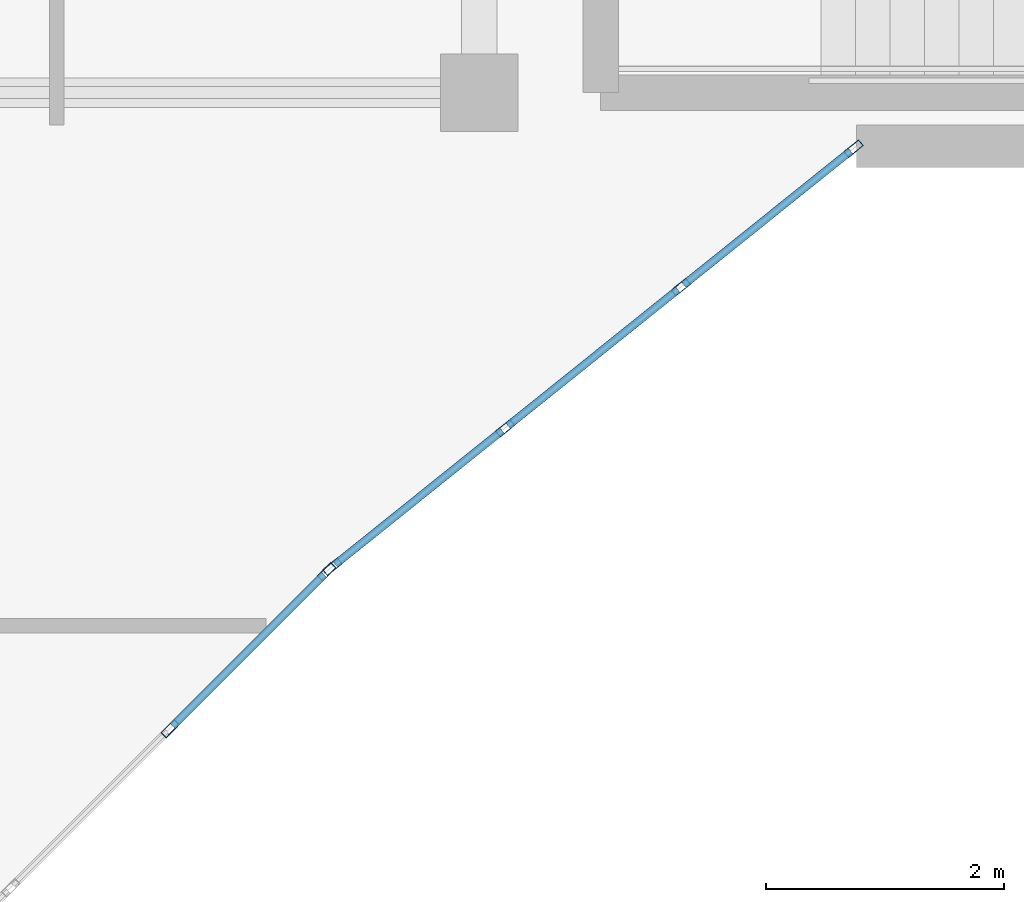
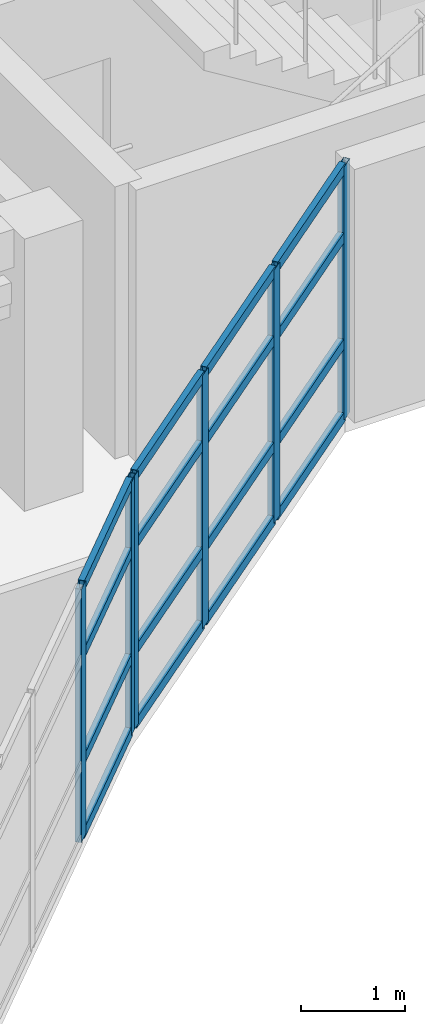
# One storey, part 16 of 89: 22 members, 2 elements without a shape of their own.
"""IFC4 building model written with IfcOpenShell, lengths in metres."""

from ifc_helpers import new_model, si_unit, direction, frame, origin, origin_2d, place, context, subcontext, project, spatial, hollow_rectangle, extrude, material, layer, layer_set, material_profile, profile_set, type_object, element, aggregate, save


model = new_model("IFC4")

# Units and contexts
model_context = context("Model", 3, precision=1e-05, world=origin(), true_north=direction((0.0, 1.0)))
body_context = subcontext(model_context, "Body", "Model", "MODEL_VIEW")
ifc_project = project(units=[si_unit("LENGTHUNIT", "METRE"), si_unit("AREAUNIT", "SQUARE_METRE"), si_unit("VOLUMEUNIT", "CUBIC_METRE"), si_unit("PLANEANGLEUNIT", "RADIAN"), si_unit("MASSUNIT", "GRAM", prefix="KILO")], contexts=[model_context])

# Site, building, storey
site_placement = place(None, origin())
site = spatial("IfcSite", under=ifc_project, at=site_placement, CompositionType="ELEMENT")
building_placement = place(site_placement, origin())
building = spatial("IfcBuilding", under=site, at=building_placement, Name="Keldmere Railside Commons", CompositionType="ELEMENT")
storey_placement = place(building_placement, frame((0.0, 0.0, 7.360107421875)))
storey = spatial("IfcBuildingStorey", under=building, at=storey_placement, Name="L02", CompositionType="ELEMENT", Elevation=7.360107421875)

# Curtain wall, members
ifc_material = material(Name="Thermally Broken Aluminium", Category="aluminium")
ifc_layer_1 = layer(ifc_material, 0.159912109375, Name="Court Chord Wintergarden CW 5400x2850")
ifc_layer_set_1 = layer_set([ifc_layer_1], Name="Thermally Broken Aluminium")
curtain_wall_type_1 = type_object("IfcCurtainWallType", Name="Court Chord Wintergarden CW 5400x2850", PredefinedType="NOTDEFINED", material=ifc_layer_set_1)
curtain_wall_1_placement = place(storey_placement, origin())
curtain_wall_1 = element("IfcCurtainWall", 1, at=curtain_wall_1_placement, inside=storey, type_object=curtain_wall_type_1, Name="CW-13 CW-L02-038", PredefinedType="NOTDEFINED")
ifc_material_profile_1 = material_profile(ifc_material, hollow_rectangle(XDim=0.06494140625, YDim=0.159912109375, WallThickness=0.00390625, at=origin_2d()), Name="ALU-MULL-65x160")
ifc_profile_set_1 = profile_set([ifc_material_profile_1], Name="Thermally Broken Aluminium")
member_type_1 = type_object("IfcMemberType", Name="Unitised Curtain Wall Mullion 65x160", PredefinedType="MULLION", material=ifc_profile_set_1)
member_1_placement = place(storey_placement, frame((71.547119140625, 96.423095703125, 0.0), z_axis=(0.0, 0.0, 1.0), x_axis=(0.707106781187, -0.707106781187, 0.0)))
member_1 = element("IfcMember", 2, at=member_1_placement, type_object=member_type_1, Name="CW-13 mullion 1", PredefinedType="MULLION", context=body_context, shape_type="SweptSolid", body=[
    extrude(hollow_rectangle(XDim=0.06494140625, YDim=0.159912109375, WallThickness=0.00390625, at=origin_2d()), origin(), (0.0, 0.0, 1.0), 2.97998046875),
])
member_2_placement = place(storey_placement, frame((70.2314453125, 95.107421875, 0.0), z_axis=(0.0, 0.0, 1.0), x_axis=(0.707106781187, -0.707106781187, 0.0)))
member_2 = element("IfcMember", 3, at=member_2_placement, type_object=member_type_1, Name="CW-13 mullion 2", PredefinedType="MULLION", context=body_context, shape_type="SweptSolid", body=[
    extrude(hollow_rectangle(XDim=0.06494140625, YDim=0.159912109375, WallThickness=0.00390625, at=origin_2d()), origin(), (0.0, 0.0, 1.0), 2.97998046875),
])

ifc_layer_2 = layer(ifc_material, 0.159912109375, Name="Court Chord Wintergarden CW 4800x2850")
ifc_layer_set_2 = layer_set([ifc_layer_2], Name="Thermally Broken Aluminium")
curtain_wall_type_2 = type_object("IfcCurtainWallType", Name="Court Chord Wintergarden CW 4800x2850", PredefinedType="NOTDEFINED", material=ifc_layer_set_2)
curtain_wall_2_placement = place(storey_placement, origin())
curtain_wall_2 = element("IfcCurtainWall", 4, at=curtain_wall_2_placement, inside=storey, type_object=curtain_wall_type_2, Name="CW-12 CW-L02-039", PredefinedType="NOTDEFINED")
member_3_placement = place(storey_placement, frame((75.974609375, 99.979736328125, 0.0), z_axis=(0.0, 0.0, 1.0), x_axis=(0.625768080915, -0.780009172323, 0.0)))
member_3 = element("IfcMember", 5, at=member_3_placement, type_object=member_type_1, Name="CW-12 mullion 1", PredefinedType="MULLION", context=body_context, shape_type="SweptSolid", body=[
    extrude(hollow_rectangle(XDim=0.06494140625, YDim=0.159912109375, WallThickness=0.00390625, at=origin_2d()), origin(), (0.0, 0.0, 1.0), 2.97998046875),
])
member_4_placement = place(storey_placement, frame((74.5234375, 98.8154296875, 0.0), z_axis=(0.0, 0.0, 1.0), x_axis=(0.625768080915, -0.780009172323, 0.0)))
member_4 = element("IfcMember", 6, at=member_4_placement, type_object=member_type_1, Name="CW-12 mullion 2", PredefinedType="MULLION", context=body_context, shape_type="SweptSolid", body=[
    extrude(hollow_rectangle(XDim=0.06494140625, YDim=0.159912109375, WallThickness=0.00390625, at=origin_2d()), origin(), (0.0, 0.0, 1.0), 2.97998046875),
])
member_5_placement = place(storey_placement, frame((73.046630859375, 97.630615234375, 0.0), z_axis=(0.0, 0.0, 1.0), x_axis=(0.625768080915, -0.780009172323, 0.0)))
member_5 = element("IfcMember", 7, at=member_5_placement, type_object=member_type_1, Name="CW-12 mullion 3", PredefinedType="MULLION", context=body_context, shape_type="SweptSolid", body=[
    extrude(hollow_rectangle(XDim=0.06494140625, YDim=0.159912109375, WallThickness=0.00390625, at=origin_2d()), origin(), (0.0, 0.0, 1.0), 2.97998046875),
])
member_6_placement = place(storey_placement, frame((71.595458984375, 96.46630859375, 0.0), z_axis=(0.0, 0.0, 1.0), x_axis=(0.625768080915, -0.780009172323, 0.0)))
member_6 = element("IfcMember", 8, at=member_6_placement, type_object=member_type_1, Name="CW-12 mullion 4", PredefinedType="MULLION", context=body_context, shape_type="SweptSolid", body=[
    extrude(hollow_rectangle(XDim=0.06494140625, YDim=0.159912109375, WallThickness=0.00390625, at=origin_2d()), origin(), (0.0, 0.0, 1.0), 2.97998046875),
])

# Member
ifc_material_profile_2 = material_profile(ifc_material, hollow_rectangle(XDim=0.06494140625, YDim=0.1201171875, WallThickness=0.00390625, at=origin_2d()), Name="ALU-TRAN-65x120")
ifc_profile_set_2 = profile_set([ifc_material_profile_2], Name="Thermally Broken Aluminium")
member_type_2 = type_object("IfcMemberType", Name="Unitised Curtain Wall Transom 65x120", PredefinedType="USERDEFINED", material=ifc_profile_set_2)
member_7_placement = place(storey_placement, frame((71.52392578125, 96.400146484375, 0.032470703125), z_axis=(-0.707038793419, -0.707174762418, 0.0), x_axis=(0.707174762418, -0.707038793419, 0.0)))
member_7 = element("IfcMember", 9, at=member_7_placement, type_object=member_type_2, Name="CW-13 transom 1.1", ObjectType="TRANSOM", PredefinedType="USERDEFINED", context=body_context, shape_type="SweptSolid", body=[
    extrude(hollow_rectangle(XDim=0.06494140625, YDim=0.1201171875, WallThickness=0.00390625, at=origin_2d()), origin(), (0.0, 0.0, 1.0), 1.795654296875),
])

member_8_placement = place(storey_placement, frame((71.52392578125, 96.400146484375, 0.89990234375), z_axis=(-0.707038793419, -0.707174762418, 0.0), x_axis=(0.707174762418, -0.707038793419, 0.0)))
member_8 = element("IfcMember", 10, at=member_8_placement, type_object=member_type_2, Name="CW-13 transom 1.2", ObjectType="TRANSOM", PredefinedType="USERDEFINED", context=body_context, shape_type="SweptSolid", body=[
    extrude(hollow_rectangle(XDim=0.06494140625, YDim=0.1201171875, WallThickness=0.00390625, at=origin_2d()), origin(), (0.0, 0.0, 1.0), 1.795654296875),
])

member_9_placement = place(storey_placement, frame((71.52392578125, 96.400146484375, 2.14990234375), z_axis=(-0.707038793419, -0.707174762418, 0.0), x_axis=(0.707174762418, -0.707038793419, 0.0)))
member_9 = element("IfcMember", 11, at=member_9_placement, type_object=member_type_2, Name="CW-13 transom 1.3", ObjectType="TRANSOM", PredefinedType="USERDEFINED", context=body_context, shape_type="SweptSolid", body=[
    extrude(hollow_rectangle(XDim=0.06494140625, YDim=0.1201171875, WallThickness=0.00390625, at=origin_2d()), origin(), (0.0, 0.0, 1.0), 1.795654296875),
])

member_10_placement = place(storey_placement, frame((71.52392578125, 96.400146484375, 2.947509765625), z_axis=(-0.707038793419, -0.707174762418, 0.0), x_axis=(0.707174762418, -0.707038793419, 0.0)))
member_10 = element("IfcMember", 12, at=member_10_placement, type_object=member_type_2, Name="CW-13 transom 1.4", ObjectType="TRANSOM", PredefinedType="USERDEFINED", context=body_context, shape_type="SweptSolid", body=[
    extrude(hollow_rectangle(XDim=0.06494140625, YDim=0.1201171875, WallThickness=0.00390625, at=origin_2d()), origin(), (0.0, 0.0, 1.0), 1.795654296875),
])

aggregate(curtain_wall_1, [member_1, member_2, member_7, member_8, member_9, member_10])

member_11_placement = place(storey_placement, frame((75.94921875, 99.959228515625, 0.032470703125), z_axis=(-0.780045694992, -0.625722553313, 0.0), x_axis=(0.625722553313, -0.780045694992, 0.0)))
member_11 = element("IfcMember", 13, at=member_11_placement, type_object=member_type_2, Name="CW-12 transom 1.1", ObjectType="TRANSOM", PredefinedType="USERDEFINED", context=body_context, shape_type="SweptSolid", body=[
    extrude(hollow_rectangle(XDim=0.06494140625, YDim=0.1201171875, WallThickness=0.00390625, at=origin_2d()), origin(), (0.0, 0.0, 1.0), 1.795654296875),
])

member_12_placement = place(storey_placement, frame((75.94921875, 99.959228515625, 0.89990234375), z_axis=(-0.780045694992, -0.625722553313, 0.0), x_axis=(0.625722553313, -0.780045694992, 0.0)))
member_12 = element("IfcMember", 14, at=member_12_placement, type_object=member_type_2, Name="CW-12 transom 1.2", ObjectType="TRANSOM", PredefinedType="USERDEFINED", context=body_context, shape_type="SweptSolid", body=[
    extrude(hollow_rectangle(XDim=0.06494140625, YDim=0.1201171875, WallThickness=0.00390625, at=origin_2d()), origin(), (0.0, 0.0, 1.0), 1.795654296875),
])

member_13_placement = place(storey_placement, frame((75.94921875, 99.959228515625, 2.14990234375), z_axis=(-0.780045694992, -0.625722553313, 0.0), x_axis=(0.625722553313, -0.780045694992, 0.0)))
member_13 = element("IfcMember", 15, at=member_13_placement, type_object=member_type_2, Name="CW-12 transom 1.3", ObjectType="TRANSOM", PredefinedType="USERDEFINED", context=body_context, shape_type="SweptSolid", body=[
    extrude(hollow_rectangle(XDim=0.06494140625, YDim=0.1201171875, WallThickness=0.00390625, at=origin_2d()), origin(), (0.0, 0.0, 1.0), 1.795654296875),
])

member_14_placement = place(storey_placement, frame((75.94921875, 99.959228515625, 2.947509765625), z_axis=(-0.780045694992, -0.625722553313, 0.0), x_axis=(0.625722553313, -0.780045694992, 0.0)))
member_14 = element("IfcMember", 16, at=member_14_placement, type_object=member_type_2, Name="CW-12 transom 1.4", ObjectType="TRANSOM", PredefinedType="USERDEFINED", context=body_context, shape_type="SweptSolid", body=[
    extrude(hollow_rectangle(XDim=0.06494140625, YDim=0.1201171875, WallThickness=0.00390625, at=origin_2d()), origin(), (0.0, 0.0, 1.0), 1.795654296875),
])

member_15_placement = place(storey_placement, frame((74.498046875, 98.794921875, 0.032470703125), z_axis=(-0.78007338409, -0.625688033635, 0.0), x_axis=(0.625688033635, -0.78007338409, 0.0)))
member_15 = element("IfcMember", 17, at=member_15_placement, type_object=member_type_2, Name="CW-12 transom 2.1", ObjectType="TRANSOM", PredefinedType="USERDEFINED", context=body_context, shape_type="SweptSolid", body=[
    extrude(hollow_rectangle(XDim=0.06494140625, YDim=0.1201171875, WallThickness=0.00390625, at=origin_2d()), origin(), (0.0, 0.0, 1.0), 1.828125),
])

member_16_placement = place(storey_placement, frame((74.498046875, 98.794921875, 0.89990234375), z_axis=(-0.78007338409, -0.625688033635, 0.0), x_axis=(0.625688033635, -0.78007338409, 0.0)))
member_16 = element("IfcMember", 18, at=member_16_placement, type_object=member_type_2, Name="CW-12 transom 2.2", ObjectType="TRANSOM", PredefinedType="USERDEFINED", context=body_context, shape_type="SweptSolid", body=[
    extrude(hollow_rectangle(XDim=0.06494140625, YDim=0.1201171875, WallThickness=0.00390625, at=origin_2d()), origin(), (0.0, 0.0, 1.0), 1.828125),
])

member_17_placement = place(storey_placement, frame((74.498046875, 98.794921875, 2.14990234375), z_axis=(-0.78007338409, -0.625688033635, 0.0), x_axis=(0.625688033635, -0.78007338409, 0.0)))
member_17 = element("IfcMember", 19, at=member_17_placement, type_object=member_type_2, Name="CW-12 transom 2.3", ObjectType="TRANSOM", PredefinedType="USERDEFINED", context=body_context, shape_type="SweptSolid", body=[
    extrude(hollow_rectangle(XDim=0.06494140625, YDim=0.1201171875, WallThickness=0.00390625, at=origin_2d()), origin(), (0.0, 0.0, 1.0), 1.828125),
])

member_18_placement = place(storey_placement, frame((74.498046875, 98.794921875, 2.947509765625), z_axis=(-0.78007338409, -0.625688033635, 0.0), x_axis=(0.625688033635, -0.78007338409, 0.0)))
member_18 = element("IfcMember", 20, at=member_18_placement, type_object=member_type_2, Name="CW-12 transom 2.4", ObjectType="TRANSOM", PredefinedType="USERDEFINED", context=body_context, shape_type="SweptSolid", body=[
    extrude(hollow_rectangle(XDim=0.06494140625, YDim=0.1201171875, WallThickness=0.00390625, at=origin_2d()), origin(), (0.0, 0.0, 1.0), 1.828125),
])

member_19_placement = place(storey_placement, frame((73.021240234375, 97.6103515625, 0.032470703125), z_axis=(-0.779979331565, -0.625805275091, 0.0), x_axis=(0.625805275091, -0.779979331565, 0.0)))
member_19 = element("IfcMember", 21, at=member_19_placement, type_object=member_type_2, Name="CW-12 transom 3.1", ObjectType="TRANSOM", PredefinedType="USERDEFINED", context=body_context, shape_type="SweptSolid", body=[
    extrude(hollow_rectangle(XDim=0.06494140625, YDim=0.1201171875, WallThickness=0.00390625, at=origin_2d()), origin(), (0.0, 0.0, 1.0), 1.795654296875),
])

member_20_placement = place(storey_placement, frame((73.021240234375, 97.6103515625, 0.89990234375), z_axis=(-0.779979331565, -0.625805275091, 0.0), x_axis=(0.625805275091, -0.779979331565, 0.0)))
member_20 = element("IfcMember", 22, at=member_20_placement, type_object=member_type_2, Name="CW-12 transom 3.2", ObjectType="TRANSOM", PredefinedType="USERDEFINED", context=body_context, shape_type="SweptSolid", body=[
    extrude(hollow_rectangle(XDim=0.06494140625, YDim=0.1201171875, WallThickness=0.00390625, at=origin_2d()), origin(), (0.0, 0.0, 1.0), 1.795654296875),
])

member_21_placement = place(storey_placement, frame((73.021240234375, 97.6103515625, 2.14990234375), z_axis=(-0.779979331565, -0.625805275091, 0.0), x_axis=(0.625805275091, -0.779979331565, 0.0)))
member_21 = element("IfcMember", 23, at=member_21_placement, type_object=member_type_2, Name="CW-12 transom 3.3", ObjectType="TRANSOM", PredefinedType="USERDEFINED", context=body_context, shape_type="SweptSolid", body=[
    extrude(hollow_rectangle(XDim=0.06494140625, YDim=0.1201171875, WallThickness=0.00390625, at=origin_2d()), origin(), (0.0, 0.0, 1.0), 1.795654296875),
])

member_22_placement = place(storey_placement, frame((73.021240234375, 97.6103515625, 2.947509765625), z_axis=(-0.779979331565, -0.625805275091, 0.0), x_axis=(0.625805275091, -0.779979331565, 0.0)))
member_22 = element("IfcMember", 24, at=member_22_placement, type_object=member_type_2, Name="CW-12 transom 3.4", ObjectType="TRANSOM", PredefinedType="USERDEFINED", context=body_context, shape_type="SweptSolid", body=[
    extrude(hollow_rectangle(XDim=0.06494140625, YDim=0.1201171875, WallThickness=0.00390625, at=origin_2d()), origin(), (0.0, 0.0, 1.0), 1.795654296875),
])

aggregate(curtain_wall_2, [member_3, member_4, member_5, member_6, member_11, member_12, member_13, member_14, member_15, member_16, member_17, member_18, member_19, member_20, member_21, member_22])

save(model, "model.ifc")
